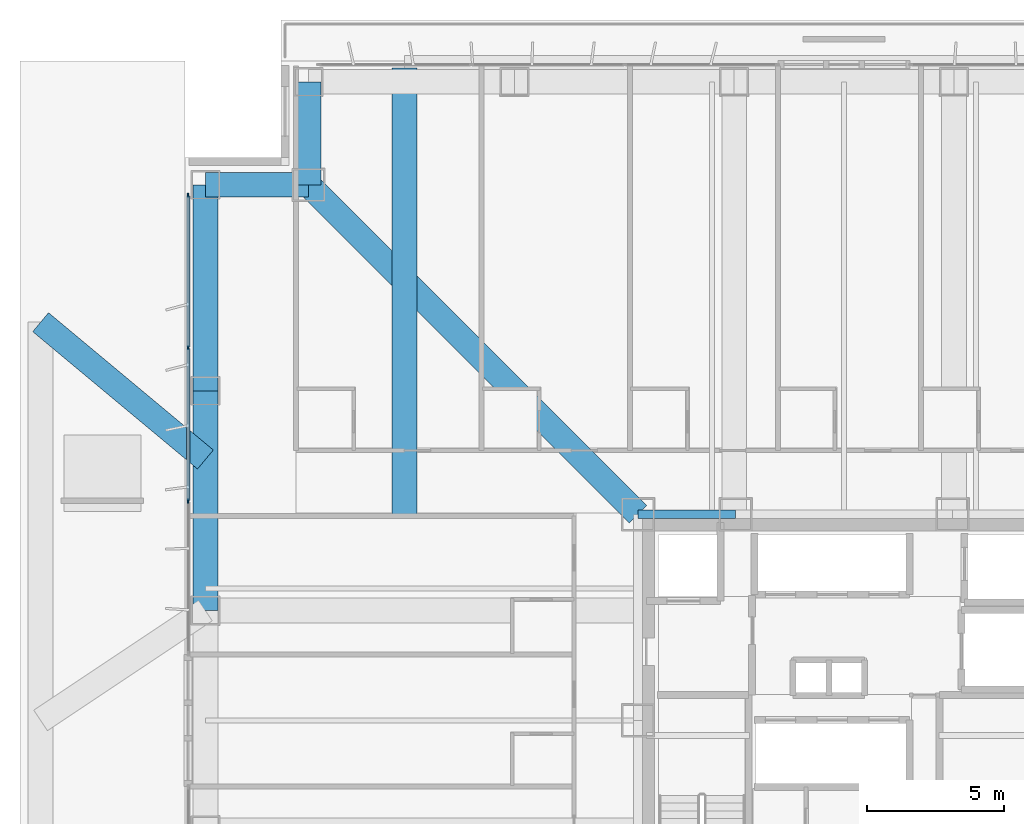
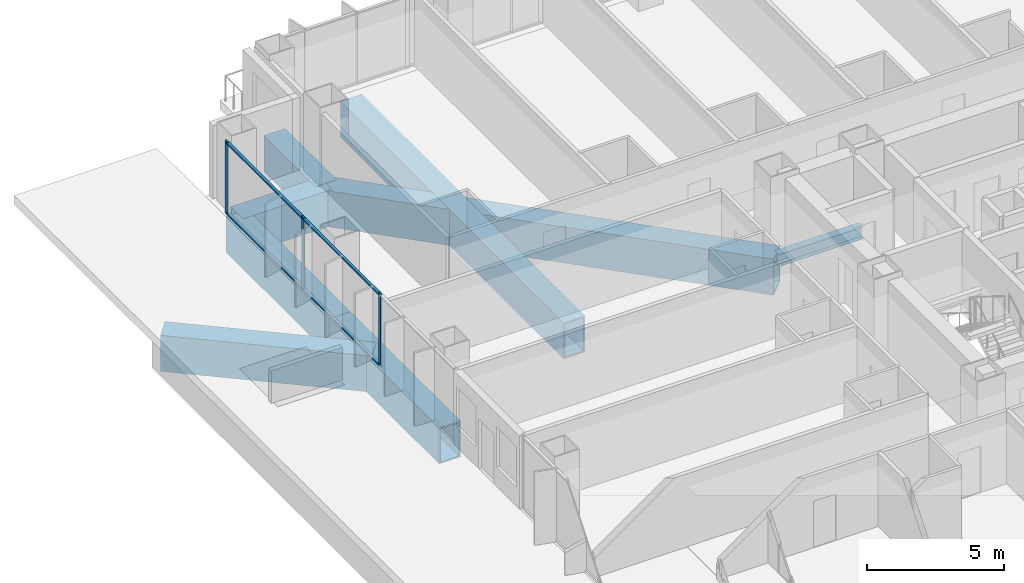
# One storey, part 10 of 24: 8 beams, 7 members, 1 element without a shape of its own.
"""IFC4 building model written with IfcOpenShell, lengths in metres."""

from ifc_helpers import new_model, si_unit, direction, frame, origin, origin_2d, place, context, subcontext, project, spatial, rectangle, hollow_rectangle, i_section, extrude, material, layer, layer_set, material_profile, profile_set, type_object, element, aggregate, save


model = new_model("IFC4")

# Units and contexts
model_context = context("Model", 3, precision=1e-05, world=origin(), true_north=direction((0.0, 1.0)))
body_context = subcontext(model_context, "Body", "Model", "MODEL_VIEW")
ifc_project = project(units=[si_unit("LENGTHUNIT", "METRE"), si_unit("AREAUNIT", "SQUARE_METRE"), si_unit("VOLUMEUNIT", "CUBIC_METRE"), si_unit("PLANEANGLEUNIT", "RADIAN"), si_unit("MASSUNIT", "GRAM", prefix="KILO")], contexts=[model_context])

# Site, building, storey
site_placement = place(None, origin())
site = spatial("IfcSite", under=ifc_project, at=site_placement, CompositionType="ELEMENT")
building_placement = place(site_placement, origin())
building = spatial("IfcBuilding", under=site, at=building_placement, Name="Trevonay Congress Spire", CompositionType="ELEMENT")
storey_placement = place(building_placement, frame((0.0, 0.0, 27.0)))
storey = spatial("IfcBuildingStorey", under=building, at=storey_placement, Name="L05", CompositionType="ELEMENT", Elevation=27.0)

# Beams
ifc_material_1 = material(Name="Steel ASTM A572 Grade 50", Category="steel")
ifc_material_profile_1 = material_profile(ifc_material_1, i_section(OverallWidth=0.31201171875, OverallDepth=0.54296875, WebThickness=0.0126953125, FlangeThickness=0.020263671875, FilletRadius=0.014892578125, at=origin_2d()), Name="W530x150")
ifc_profile_set_1 = profile_set([ifc_material_profile_1], Name="Steel ASTM A572 Grade 50")
beam_type_1 = type_object("IfcBeamType", Name="BM-GIRD-W530X150", PredefinedType="BEAM", material=ifc_profile_set_1)
beam_1_placement = place(storey_placement, frame((-7.5, 7.5, -0.67138671875), z_axis=(1.0, 0.0, 0.0), x_axis=(0.0, 1.0, 0.0)))
element("IfcBeam", 1, at=beam_1_placement, inside=storey, type_object=beam_type_1, Name="L05 structural beam BM-L05-CR-N1", PredefinedType="BEAM", context=body_context, shape_type="SweptSolid", body=[
    extrude(i_section(OverallWidth=0.31201171875, OverallDepth=0.54296875, WebThickness=0.0126953125, FlangeThickness=0.020263671875, FilletRadius=0.014892578125, at=origin_2d()), origin(), (0.0, 0.0, 1.0), 3.550048828125),
])
ifc_material_profile_2 = material_profile(ifc_material_1, hollow_rectangle(XDim=0.89990234375, YDim=1.60009765625, WallThickness=0.06005859375, at=origin_2d()), Name="BOX 1600x900x60")
ifc_profile_set_2 = profile_set([ifc_material_profile_2], Name="Steel ASTM A572 Grade 50")
beam_type_2 = type_object("IfcBeamType", Name="BM-RING-BOX1600", PredefinedType="BEAM", material=ifc_profile_set_2)
beam_2_placement = place(storey_placement, frame((-23.25, 4.0, -1.199951171875), z_axis=(0.0, 1.0, 0.0), x_axis=(-1.0, 0.0, 0.0)))
element("IfcBeam", 2, at=beam_2_placement, inside=storey, type_object=beam_type_2, Name="L05 structural beam BM-L05-PW4", PredefinedType="BEAM", context=body_context, shape_type="SweptSolid", body=[
    extrude(hollow_rectangle(XDim=0.89990234375, YDim=1.60009765625, WallThickness=0.06005859375, at=origin_2d()), origin(), (0.0, 0.0, 1.0), 8.0),
])
beam_3_placement = place(storey_placement, frame((-23.25, 12.0, -1.199951171875), z_axis=(0.0, 1.0, 0.0), x_axis=(-1.0, 0.0, 0.0)))
element("IfcBeam", 3, at=beam_3_placement, inside=storey, type_object=beam_type_2, Name="L05 structural beam BM-L05-PW5", PredefinedType="BEAM", context=body_context, shape_type="SweptSolid", body=[
    extrude(hollow_rectangle(XDim=0.89990234375, YDim=1.60009765625, WallThickness=0.06005859375, at=origin_2d()), origin(), (0.0, 0.0, 1.0), 7.5),
])
for number, where, z_axis, x_axis, name in (
    (4, (-19.5, 23.25, -1.199951171875), (0.0, -1.0, 0.0), (1.0, 0.0, 0.0), "L05 structural beam BM-L05-N1NW"),
    (5, (-23.25, 19.5, -1.199951171875), (1.0, 0.0, 0.0), (0.0, 1.0, 0.0), "L05 structural beam BM-L05-N2NW"),
):
    element("IfcBeam", number, at=place(storey_placement, frame(where, z_axis=z_axis, x_axis=x_axis)), inside=storey, type_object=beam_type_2, Name=name, PredefinedType="BEAM", context=body_context, shape_type="SweptSolid", body=[
        extrude(hollow_rectangle(XDim=0.89990234375, YDim=1.60009765625, WallThickness=0.06005859375, at=origin_2d()), origin(), (0.0, 0.0, 1.0), 3.75),
    ])
ifc_material_profile_3 = material_profile(ifc_material_1, hollow_rectangle(XDim=0.89990234375, YDim=1.60009765625, WallThickness=0.06005859375, at=origin_2d()), Name="BOX 1600x900x60")
ifc_profile_set_3 = profile_set([ifc_material_profile_3], Name="Steel ASTM A572 Grade 50")
beam_type_3 = type_object("IfcBeamType", Name="BM-XFER-BOX1600", PredefinedType="BEAM", material=ifc_profile_set_3)
beam_4_placement = place(storey_placement, frame((-23.25, 9.5, -1.199951171875), z_axis=(-0.768221279597, 0.640184399664, 0.0), x_axis=(-0.640184399664, -0.768221279597, 0.0)))
element("IfcBeam", 6, at=beam_4_placement, inside=storey, type_object=beam_type_3, Name="L05 structural beam BM-L05T-WT2", PredefinedType="BEAM", context=body_context, shape_type="SweptSolid", body=[
    extrude(hollow_rectangle(XDim=0.89990234375, YDim=1.60009765625, WallThickness=0.06005859375, at=origin_2d()), origin(), (0.0, 0.0, 1.0), 7.810302734375),
])
beam_5_placement = place(storey_placement, frame((-16.0, 7.5, -1.199951171875), z_axis=(0.0, 1.0, 0.0), x_axis=(-1.0, 0.0, 0.0)))
element("IfcBeam", 7, at=beam_5_placement, inside=storey, type_object=beam_type_3, Name="L05 structural beam BM-L05T-NT1", PredefinedType="BEAM", context=body_context, shape_type="SweptSolid", body=[
    extrude(hollow_rectangle(XDim=0.89990234375, YDim=1.60009765625, WallThickness=0.06005859375, at=origin_2d()), origin(), (0.0, 0.0, 1.0), 16.25),
])
beam_6_placement = place(storey_placement, frame((-7.5, 7.5, -1.199951171875), z_axis=(-0.707106781187, 0.707106781187, 0.0), x_axis=(-0.707106781187, -0.707106781187, 0.0)))
element("IfcBeam", 8, at=beam_6_placement, inside=storey, type_object=beam_type_3, Name="L05 structural beam BM-L05-CDNW", PredefinedType="BEAM", context=body_context, shape_type="SweptSolid", body=[
    extrude(hollow_rectangle(XDim=0.89990234375, YDim=1.60009765625, WallThickness=0.06005859375, at=origin_2d()), origin(), (0.0, 0.0, 1.0), 16.970458984375),
])

# Curtain wall, members
ifc_material_2 = material(Name="Pale Anodised Aluminium EN AW-6063-T6", Category="aluminium")
ifc_layer = layer(ifc_material_2, 0.179931640625, Name="Pale Anodised Aluminium EN AW-6063-T6")
ifc_layer_set = layer_set([ifc_layer], Name="Pale Anodised Aluminium EN AW-6063-T6")
curtain_wall_type = type_object("IfcCurtainWallType", Name="CW-SYS02-HOTEL-PALE-METAL", PredefinedType="NOTDEFINED", material=ifc_layer_set)
curtain_wall_placement = place(storey_placement, origin())
curtain_wall = element("IfcCurtainWall", 9, at=curtain_wall_placement, inside=storey, type_object=curtain_wall_type, Name="L05 WB unitised curtain wall", PredefinedType="NOTDEFINED")
ifc_material_profile_4 = material_profile(ifc_material_2, rectangle(XDim=0.06005859375, YDim=0.159912109375, at=origin_2d()), Name="CW-MULLION-160-ALUMINIUM")
ifc_profile_set_4 = profile_set([ifc_material_profile_4], Name="Pale Anodised Aluminium EN AW-6063-T6")
member_type_1 = type_object("IfcMemberType", Name="CW-MULLION-160-ALUMINIUM", PredefinedType="MULLION", material=ifc_profile_set_4)
member_1_placement = place(storey_placement, frame((-23.8798828125, 7.9833984375, 0.0), z_axis=(0.0, 0.0, 1.0), x_axis=(-1.0, 0.0, 0.0)))
member_1 = element("IfcMember", 10, at=member_1_placement, type_object=member_type_1, Name="CW02 mullion 2", PredefinedType="MULLION", context=body_context, shape_type="SweptSolid", body=[
    extrude(rectangle(XDim=0.06005859375, YDim=0.159912109375, at=origin_2d()), origin(), (0.0, 0.0, 1.0), 3.25),
])
member_2_placement = place(storey_placement, frame((-23.8798828125, 13.566650390625, 0.0), z_axis=(0.0, 0.0, 1.0), x_axis=(-1.0, 0.0, 0.0)))
member_2 = element("IfcMember", 11, at=member_2_placement, type_object=member_type_1, Name="CW02 mullion 3", PredefinedType="MULLION", context=body_context, shape_type="SweptSolid", body=[
    extrude(rectangle(XDim=0.06005859375, YDim=0.159912109375, at=origin_2d()), origin(), (0.0, 0.0, 1.0), 3.25),
])
member_3_placement = place(storey_placement, frame((-23.8798828125, 19.1201171875, 0.0), z_axis=(0.0, 0.0, 1.0), x_axis=(-1.0, 0.0, 0.0)))
member_3 = element("IfcMember", 12, at=member_3_placement, type_object=member_type_1, Name="CW02 mullion 4", PredefinedType="MULLION", context=body_context, shape_type="SweptSolid", body=[
    extrude(rectangle(XDim=0.06005859375, YDim=0.159912109375, at=origin_2d()), origin(), (0.0, 0.0, 1.0), 3.25),
])
ifc_material_profile_5 = material_profile(ifc_material_2, rectangle(XDim=0.1201171875, YDim=0.06005859375, at=origin_2d()), Name="CW-TRANSOM-120-ALUMINIUM")
ifc_profile_set_5 = profile_set([ifc_material_profile_5], Name="Pale Anodised Aluminium EN AW-6063-T6")
member_type_2 = type_object("IfcMemberType", Name="CW-TRANSOM-120-ALUMINIUM", PredefinedType="USERDEFINED", material=ifc_profile_set_5)
member_4_placement = place(storey_placement, frame((-23.8798828125, 8.013427734375, 0.06005859375), z_axis=(0.0, 1.0, 0.0), x_axis=(-1.0, 0.0, 0.0)))
member_4 = element("IfcMember", 13, at=member_4_placement, type_object=member_type_2, Name="CW02 transom 2.1", ObjectType="TRANSOM", PredefinedType="USERDEFINED", context=body_context, shape_type="SweptSolid", body=[
    extrude(rectangle(XDim=0.1201171875, YDim=0.06005859375, at=origin_2d()), origin(), (0.0, 0.0, 1.0), 5.523193359375),
])
member_5_placement = place(storey_placement, frame((-23.8798828125, 8.013427734375, 3.18994140625), z_axis=(0.0, 1.0, 0.0), x_axis=(-1.0, 0.0, 0.0)))
member_5 = element("IfcMember", 14, at=member_5_placement, type_object=member_type_2, Name="CW02 transom 2.2", ObjectType="TRANSOM", PredefinedType="USERDEFINED", context=body_context, shape_type="SweptSolid", body=[
    extrude(rectangle(XDim=0.1201171875, YDim=0.06005859375, at=origin_2d()), origin(), (0.0, 0.0, 1.0), 5.523193359375),
])
member_6_placement = place(storey_placement, frame((-23.8798828125, 13.5966796875, 0.06005859375), z_axis=(0.0, 1.0, 0.0), x_axis=(-1.0, 0.0, 0.0)))
member_6 = element("IfcMember", 15, at=member_6_placement, type_object=member_type_2, Name="CW02 transom 3.1", ObjectType="TRANSOM", PredefinedType="USERDEFINED", context=body_context, shape_type="SweptSolid", body=[
    extrude(rectangle(XDim=0.1201171875, YDim=0.06005859375, at=origin_2d()), origin(), (0.0, 0.0, 1.0), 5.493408203125),
])
member_7_placement = place(storey_placement, frame((-23.8798828125, 13.5966796875, 3.18994140625), z_axis=(0.0, 1.0, 0.0), x_axis=(-1.0, 0.0, 0.0)))
member_7 = element("IfcMember", 16, at=member_7_placement, type_object=member_type_2, Name="CW02 transom 3.2", ObjectType="TRANSOM", PredefinedType="USERDEFINED", context=body_context, shape_type="SweptSolid", body=[
    extrude(rectangle(XDim=0.1201171875, YDim=0.06005859375, at=origin_2d()), origin(), (0.0, 0.0, 1.0), 5.493408203125),
])
aggregate(curtain_wall, [member_1, member_2, member_3, member_4, member_5, member_6, member_7])

save(model, "model.ifc")
